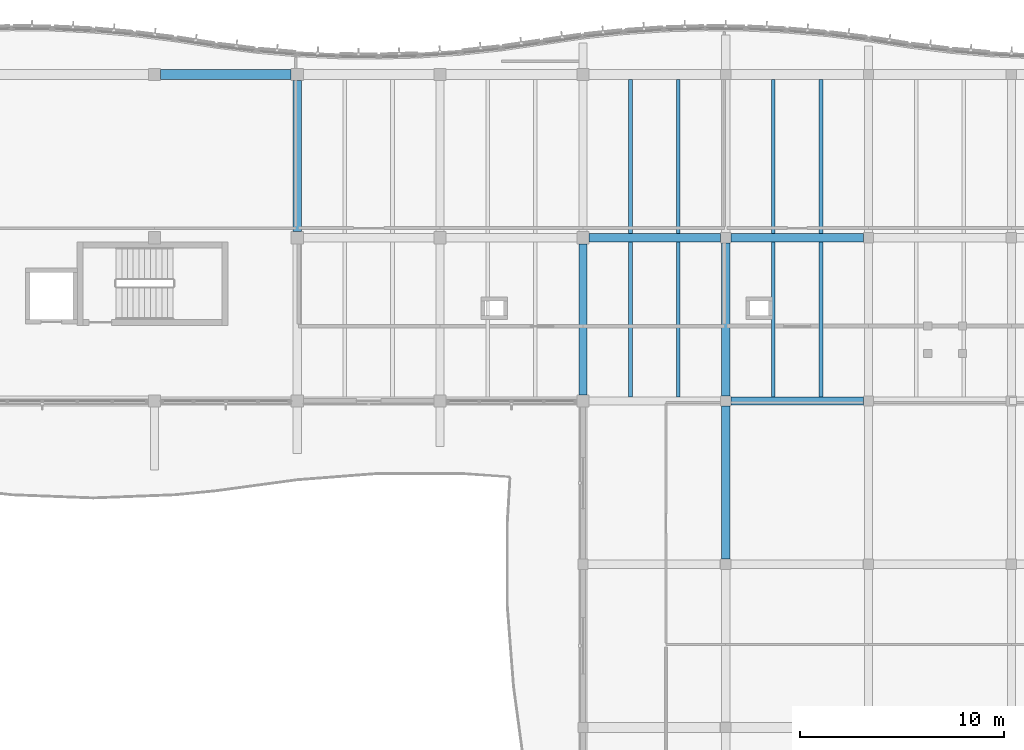
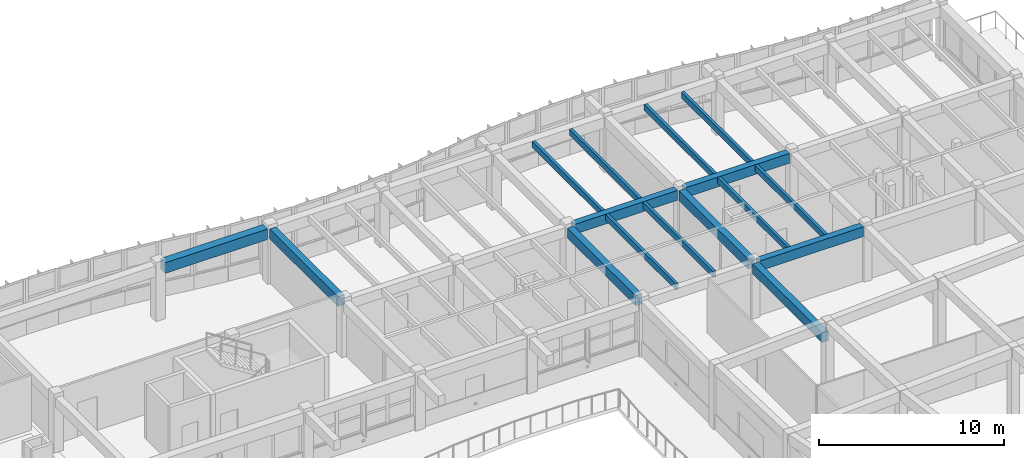
# One storey, part 38 of 89: 16 beams.
"""IFC4 building model written with IfcOpenShell, lengths in metres."""

from ifc_helpers import new_model, si_unit, direction, frame, origin, origin_2d, place, context, subcontext, project, spatial, rectangle, extrude, material, material_profile, profile_set, type_object, element, save


model = new_model("IFC4")

# Units and contexts
model_context = context("Model", 3, precision=1e-05, world=origin(), true_north=direction((0.0, 1.0)))
body_context = subcontext(model_context, "Body", "Model", "MODEL_VIEW")
ifc_project = project(units=[si_unit("LENGTHUNIT", "METRE"), si_unit("AREAUNIT", "SQUARE_METRE"), si_unit("VOLUMEUNIT", "CUBIC_METRE"), si_unit("PLANEANGLEUNIT", "RADIAN"), si_unit("MASSUNIT", "GRAM", prefix="KILO")], contexts=[model_context])

# Site, building, storey
site_placement = place(None, origin())
site = spatial("IfcSite", under=ifc_project, at=site_placement, CompositionType="ELEMENT")
building_placement = place(site_placement, origin())
building = spatial("IfcBuilding", under=site, at=building_placement, Name="Tonlespit Floodbar School", CompositionType="ELEMENT")
storey_placement = place(building_placement, frame((0.0, 0.0, 4.5)))
storey = spatial("IfcBuildingStorey", under=building, at=storey_placement, Name="L01", CompositionType="ELEMENT", Elevation=4.5)

# Beams
ifc_material_1 = material(Name="Concrete C40/50", Category="concrete")
ifc_material_profile_1 = material_profile(ifc_material_1, rectangle(XDim=0.39990234375, YDim=0.64990234375, at=origin_2d()), Name="RC 400x650")
ifc_profile_set_1 = profile_set([ifc_material_profile_1], Name="Concrete C40/50")
beam_type_1 = type_object("IfcBeamType", Name="Beam_RC_400x650", PredefinedType="BEAM", material=ifc_profile_set_1)
beam_1_placement = place(storey_placement, frame((155.25, 104.0, 3.320068359375), z_axis=(1.0, 0.0, 0.0), x_axis=(0.0, 1.0, 0.0)))
element("IfcBeam", 1, at=beam_1_placement, inside=storey, type_object=beam_type_1, Name="L01 girder 0642", PredefinedType="BEAM", context=body_context, shape_type="SweptSolid", body=[
    extrude(rectangle(XDim=0.39990234375, YDim=0.64990234375, at=origin_2d()), origin(), (0.0, 0.0, 1.0), 6.5),
])
beam_2_placement = place(storey_placement, frame((148.300048828125, 112.0, 3.320068359375), z_axis=(1.0, 0.0, 0.0), x_axis=(0.0, 1.0, 0.0)))
element("IfcBeam", 2, at=beam_2_placement, inside=storey, type_object=beam_type_1, Name="L01 girder 0651", PredefinedType="BEAM", context=body_context, shape_type="SweptSolid", body=[
    extrude(rectangle(XDim=0.39990234375, YDim=0.64990234375, at=origin_2d()), origin(), (0.0, 0.0, 1.0), 6.449951171875),
])
beam_3_placement = place(storey_placement, frame((155.25, 112.0, 3.320068359375), z_axis=(1.0, 0.0, 0.0), x_axis=(0.0, 1.0, 0.0)))
element("IfcBeam", 3, at=beam_3_placement, inside=storey, type_object=beam_type_1, Name="L01 girder 0652", PredefinedType="BEAM", context=body_context, shape_type="SweptSolid", body=[
    extrude(rectangle(XDim=0.39990234375, YDim=0.64990234375, at=origin_2d()), origin(), (0.0, 0.0, 1.0), 6.5),
])
for number, where, z_axis, x_axis, name in (
    (4, (134.0, 112.300048828125, 3.320068359375), (0.0, 1.0, 0.0), (-1.0, 0.0, 0.0), "L01 girder 0749"),
    (5, (148.0, 104.300048828125, 3.320068359375), (0.0, 1.0, 0.0), (-1.0, 0.0, 0.0), "L01 girder 0759"),
):
    element("IfcBeam", number, at=place(storey_placement, frame(where, z_axis=z_axis, x_axis=x_axis)), inside=storey, type_object=beam_type_1, Name=name, PredefinedType="BEAM", context=body_context, shape_type="SweptSolid", body=[
        extrude(rectangle(XDim=0.39990234375, YDim=0.64990234375, at=origin_2d()), origin(), (0.0, 0.0, 1.0), 7.39990234375),
    ])
for number, where, z_axis, x_axis, name in (
    (6, (155.0, 96.25, 3.324951171875), (0.0, 1.0, 0.0), (-1.0, 0.0, 0.0), "L01 girder 0765"),
    (7, (155.0, 104.25, 3.320068359375), (0.0, 1.0, 0.0), (-1.0, 0.0, 0.0), "L01 girder 0766"),
):
    element("IfcBeam", number, at=place(storey_placement, frame(where, z_axis=z_axis, x_axis=x_axis)), inside=storey, type_object=beam_type_1, Name=name, PredefinedType="BEAM", context=body_context, shape_type="SweptSolid", body=[
        extrude(rectangle(XDim=0.39990234375, YDim=0.64990234375, at=origin_2d()), origin(), (0.0, 0.0, 1.0), 7.5),
    ])
ifc_material_2 = material(Name="Glulam GL28h", Category="wood")
ifc_material_profile_2 = material_profile(ifc_material_2, rectangle(XDim=0.179931640625, YDim=0.39990234375, at=origin_2d()), Name="GL 180x400")
ifc_profile_set_2 = profile_set([ifc_material_profile_2], Name="Glulam GL28h")
beam_type_2 = type_object("IfcBeamType", Name="Joist_GL_180x400", PredefinedType="JOIST", material=ifc_profile_set_2)
for number, where, z_axis, x_axis, name in (
    (8, (150.333251953125, 104.199951171875, 3.445068359375), (0.0, 1.0, 0.0), (-1.0, 0.0, 0.0), "L01 secondary joist 0890"),
    (9, (152.666748046875, 104.199951171875, 3.445068359375), (0.0, 1.0, 0.0), (-1.0, 0.0, 0.0), "L01 secondary joist 0891"),
    (10, (157.333251953125, 104.199951171875, 3.445068359375), (0.0, 1.0, 0.0), (-1.0, 0.0, 0.0), "L01 secondary joist 0892"),
    (11, (159.666748046875, 104.199951171875, 3.445068359375), (0.0, 1.0, 0.0), (-1.0, 0.0, 0.0), "L01 secondary joist 0893"),
):
    element("IfcBeam", number, at=place(storey_placement, frame(where, z_axis=z_axis, x_axis=x_axis)), inside=storey, type_object=beam_type_2, Name=name, PredefinedType="JOIST", context=body_context, shape_type="SweptSolid", body=[
        extrude(rectangle(XDim=0.179931640625, YDim=0.39990234375, at=origin_2d()), origin(), (0.0, 0.0, 1.0), 7.60009765625),
    ])
for number, where, z_axis, x_axis, name in (
    (12, (150.333251953125, 112.199951171875, 3.445068359375), (0.0, 1.0, 0.0), (-1.0, 0.0, 0.0), "L01 secondary joist 0910"),
    (13, (152.666748046875, 112.199951171875, 3.445068359375), (0.0, 1.0, 0.0), (-1.0, 0.0, 0.0), "L01 secondary joist 0911"),
    (14, (157.333251953125, 112.199951171875, 3.445068359375), (0.0, 1.0, 0.0), (-1.0, 0.0, 0.0), "L01 secondary joist 0912"),
    (15, (159.666748046875, 112.199951171875, 3.445068359375), (0.0, 1.0, 0.0), (-1.0, 0.0, 0.0), "L01 secondary joist 0913"),
):
    element("IfcBeam", number, at=place(storey_placement, frame(where, z_axis=z_axis, x_axis=x_axis)), inside=storey, type_object=beam_type_2, Name=name, PredefinedType="JOIST", context=body_context, shape_type="SweptSolid", body=[
        extrude(rectangle(XDim=0.179931640625, YDim=0.39990234375, at=origin_2d()), origin(), (0.0, 0.0, 1.0), 7.550048828125),
    ])
ifc_material_profile_3 = material_profile(ifc_material_1, rectangle(XDim=0.5, YDim=0.699951171875, at=origin_2d()), Name="RC 500x700")
ifc_profile_set_3 = profile_set([ifc_material_profile_3], Name="Concrete C40/50")
beam_type_3 = type_object("IfcBeamType", Name="Spandrel_RC_500x700", PredefinedType="SPANDREL", material=ifc_profile_set_3)
beam_4_placement = place(storey_placement, frame((127.300048828125, 120.0, 3.294921875), z_axis=(1.0, 0.0, 0.0), x_axis=(0.0, 1.0, 0.0)))
element("IfcBeam", 16, at=beam_4_placement, inside=storey, type_object=beam_type_3, Name="L01 girder 0664", PredefinedType="SPANDREL", context=body_context, shape_type="SweptSolid", body=[
    extrude(rectangle(XDim=0.5, YDim=0.699951171875, at=origin_2d()), origin(), (0.0, 0.0, 1.0), 6.39990234375),
])

save(model, "model.ifc")
